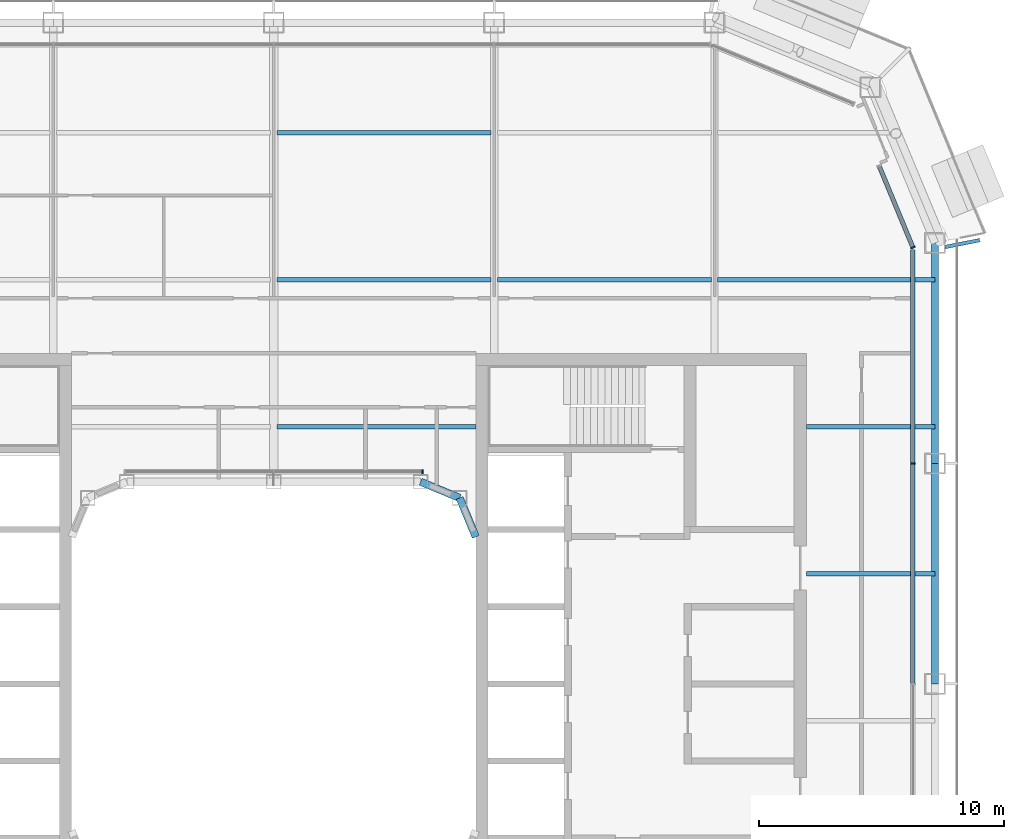
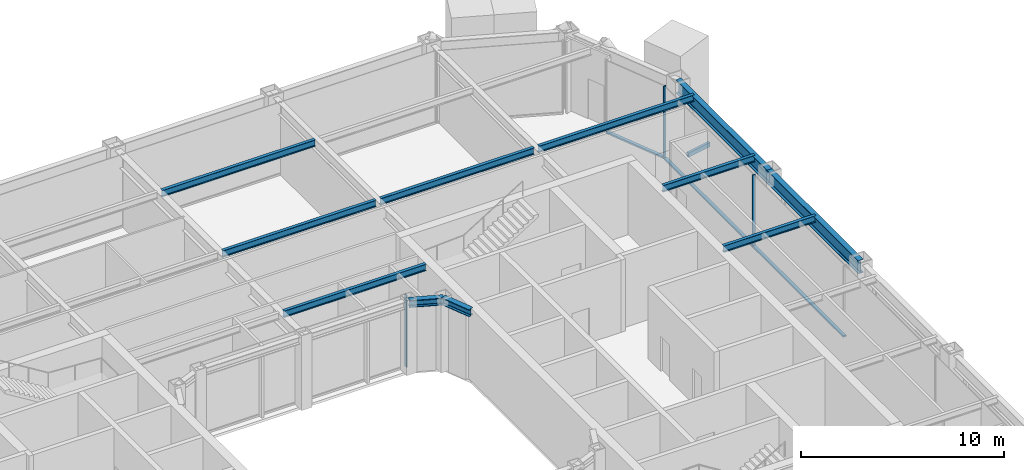
# One storey, part 9 of 23: 12 beams, 6 members, 3 elements without a shape of their own.
"""IFC4 building model written with IfcOpenShell, lengths in metres."""

import ifcopenshell
import ifcopenshell.guid

model = None  # the IFC model being written
_history = None  # IfcOwnerHistory: only IFC2X3 demands one
_inside = {}  # id of a spatial element -> (the spatial element, [elements in it])
_under = {}  # id of a project, library or spatial element -> (it, [spatial elements below it])
_declared = {}  # id of a project -> (the project, [libraries it declares])
_typed = {}  # id of a type object -> (the type object, [elements of that type])
_made_of = {}  # id of a material, layer set ... -> (it, [elements and type objects made of it])


def new_model(schema):
    """Start an empty IFC model of exactly this schema.

    Asked for "IFC4X3", IfcOpenShell would pick the latest addendum, in which some entities
    have other attributes; the version numbers below select the first issue.
    IFC2X3 requires an IfcOwnerHistory on every rooted entity: one is made here for all.
    """
    global model, _history
    if schema == "IFC4X3":
        model = ifcopenshell.file(schema_version=(4, 3, 0, 0))
    else:
        model = ifcopenshell.file(schema=schema)
    _inside.clear()
    _under.clear()
    _declared.clear()
    _typed.clear()
    _made_of.clear()
    _history = None
    if model.schema == "IFC2X3":
        org = make("IfcOrganization", Name="unknown")
        user = make(
            "IfcPersonAndOrganization",
            ThePerson=make("IfcPerson", FamilyName="unknown"),
            TheOrganization=org,
        )
        app = make(
            "IfcApplication",
            ApplicationDeveloper=org,
            Version="unknown",
            ApplicationFullName="unknown",
            ApplicationIdentifier="unknown",
        )
        _history = make(
            "IfcOwnerHistory",
            OwningUser=user,
            OwningApplication=app,
            ChangeAction="ADDED",
            CreationDate=0,
        )
    return model


def make(cls, **values):
    """One entity of the class cls with the attributes given. An attribute that is None is left unset."""
    return model.create_entity(
        cls, **{name: value for name, value in values.items() if value is not None}
    )


def rooted(cls, **values):
    """An entity with a GlobalId (a new one), such as an element, a storey or a relation."""
    return make(cls, GlobalId=ifcopenshell.guid.new(), OwnerHistory=_history, **values)


def si_unit(unit_type, name, prefix=None):
    """IfcSIUnit, for example si_unit("LENGTHUNIT", "METRE", prefix="MILLI")."""
    return make("IfcSIUnit", UnitType=unit_type, Prefix=prefix, Name=name)


def assignment(units):
    """IfcUnitAssignment: the units of a project."""
    return None if units is None else make("IfcUnitAssignment", Units=units)


def point(xyz):
    """IfcCartesianPoint."""
    return None if xyz is None else make("IfcCartesianPoint", Coordinates=xyz)


def direction(xyz):
    """IfcDirection."""
    return None if xyz is None else make("IfcDirection", DirectionRatios=xyz)


def frame(location, z_axis=None, x_axis=None):
    """IfcAxis2Placement3D, a coordinate frame: its origin and axes. An axis left out is left unset."""
    return make(
        "IfcAxis2Placement3D",
        Location=point(location),
        Axis=direction(z_axis),
        RefDirection=direction(x_axis),
    )


def frame_2d(location, x_axis=None):
    """IfcAxis2Placement2D, a coordinate frame in the plane: its origin and x axis."""
    return make(
        "IfcAxis2Placement2D", Location=point(location), RefDirection=direction(x_axis)
    )


def origin():
    """The frame at (0, 0, 0) with its axes left unset."""
    return frame((0.0, 0.0, 0.0))


def origin_2d():
    """The frame at (0, 0) in the plane with its x axis left unset."""
    return frame_2d((0.0, 0.0))


def place(relative_to, where):
    """IfcLocalPlacement: puts the frame where relative to a parent placement (None: the world)."""
    return make(
        "IfcLocalPlacement", PlacementRelTo=relative_to, RelativePlacement=where
    )


def context(
    kind, dimensions, precision=None, world=None, true_north=None, identifier=None
):
    """IfcGeometricRepresentationContext, for example the 3D "Model" context."""
    return make(
        "IfcGeometricRepresentationContext",
        ContextIdentifier=identifier,
        ContextType=kind,
        CoordinateSpaceDimension=dimensions,
        Precision=precision,
        WorldCoordinateSystem=world,
        TrueNorth=true_north,
    )


def subcontext(parent, identifier, kind, view, scale=None):
    """IfcGeometricRepresentationSubContext, for example "Body" below "Model"."""
    return make(
        "IfcGeometricRepresentationSubContext",
        ContextIdentifier=identifier,
        ContextType=kind,
        ParentContext=parent,
        TargetScale=scale,
        TargetView=view,
    )


def project(units=None, contexts=None):
    """IfcProject with its units and contexts."""
    return rooted(
        "IfcProject",
        Name="project",
        RepresentationContexts=contexts,
        UnitsInContext=assignment(units),
    )


def spatial(cls, under=None, at=None, **own):
    """A site, building, storey or space (cls), placed at a placement, below another one or the project."""
    s = rooted(cls, ObjectPlacement=at, **own)
    if under is not None:
        _under.setdefault(under.id(), (under, []))[1].append(s)
    return s


def profile(cls, at=None, kind="AREA", **sizes):
    """A parametric profile (cls). Its sizes go by their IFC names, for example OverallWidth=200.0."""
    return make(cls, ProfileType=kind, Position=at, **sizes)


def rectangle(**sizes):
    """IfcRectangleProfileDef."""
    return profile("IfcRectangleProfileDef", **sizes)


def hollow_rectangle(**sizes):
    """IfcRectangleHollowProfileDef."""
    return profile("IfcRectangleHollowProfileDef", **sizes)


def i_section(**sizes):
    """IfcIShapeProfileDef."""
    return profile("IfcIShapeProfileDef", **sizes)


def extrude(swept, where, along, depth):
    """IfcExtrudedAreaSolid: the profile swept, set in the frame where, extruded along a direction by depth."""
    return make(
        "IfcExtrudedAreaSolid",
        SweptArea=swept,
        Position=where,
        ExtrudedDirection=direction(along),
        Depth=depth,
    )


def shape(context_of_items, identifier, shape_type, items):
    """IfcShapeRepresentation: the items that make up one representation, for example the "Body"."""
    return make(
        "IfcShapeRepresentation",
        ContextOfItems=context_of_items,
        RepresentationIdentifier=identifier,
        RepresentationType=shape_type,
        Items=items,
    )


def material(Name=None, Category=None):
    """IfcMaterial."""
    return make("IfcMaterial", Name=Name, Category=Category)


def layer(
    of_material, thickness, ventilated=None, Name=None, Category=None, Priority=None
):
    """IfcMaterialLayer: one layer of a wall or slab, of a material (None: an air gap)."""
    return make(
        "IfcMaterialLayer",
        Material=of_material,
        LayerThickness=thickness,
        IsVentilated=ventilated,
        Name=Name,
        Category=Category,
        Priority=Priority,
    )


def layer_set(layers, Name=None):
    """IfcMaterialLayerSet."""
    return make("IfcMaterialLayerSet", MaterialLayers=layers, LayerSetName=Name)


def material_profile(
    of_material, cross_section, Name=None, Category=None, Priority=None
):
    """IfcMaterialProfile: a cross section and its material."""
    return make(
        "IfcMaterialProfile",
        Name=Name,
        Material=of_material,
        Profile=cross_section,
        Priority=Priority,
        Category=Category,
    )


def profile_set(profiles, Name=None, composite=None):
    """IfcMaterialProfileSet."""
    return make(
        "IfcMaterialProfileSet",
        Name=Name,
        MaterialProfiles=profiles,
        CompositeProfile=composite,
    )


def made_of(thing, what):
    """Note that an element or type object is made of a material, layer set ...; save() writes the relation."""
    if what is not None:
        _made_of.setdefault(what.id(), (what, []))[1].append(thing)
    return thing


def type_object(cls, material=None, **own):
    """A type object (cls), such as IfcWallType, which elements share."""
    return made_of(rooted(cls, **own), material)


def element(
    cls,
    number,
    at=None,
    inside=None,
    cuts=None,
    type_object=None,
    material=None,
    context=None,
    identifier="Body",
    shape_type=None,
    held_by="IfcProductDefinitionShape",
    body=None,
    shapes=None,
    **own,
):
    """One element of the class cls, such as IfcWall. Its Tag is "e" and its number.

    at: its placement. inside: the storey or other place that contains it. cuts: it is an
    opening in that element (IfcRelVoidsElement). A single representation is given by context,
    identifier, shape_type and body (its items); several are given by shapes. held_by: the class
    of the entity that holds the representations. save() writes the other relations.
    """
    e = rooted(cls, Tag="e%d" % number, ObjectPlacement=at, **own)
    if body is not None:
        shapes = [shape(context, identifier, shape_type, body)]
    if shapes is not None:
        e.Representation = make(held_by, Representations=shapes)
    if inside is not None:
        _inside.setdefault(inside.id(), (inside, []))[1].append(e)
    if cuts is not None:
        rooted(
            "IfcRelVoidsElement", RelatingBuildingElement=cuts, RelatedOpeningElement=e
        )
    if type_object is not None:
        _typed.setdefault(type_object.id(), (type_object, []))[1].append(e)
    return made_of(e, material)


def aggregate(whole, parts):
    """IfcRelAggregates: a whole, such as a stair, and the parts it consists of."""
    return rooted("IfcRelAggregates", RelatingObject=whole, RelatedObjects=parts)


def save(model, path):
    """Write the relations noted so far, then the file.

    IfcRelAggregates (storeys below a building ...), IfcRelContainedInSpatialStructure (elements
    in a storey), IfcRelDefinesByType, IfcRelAssociatesMaterial and IfcRelDeclares: one each for
    every whole, place, type object, material and project.
    """
    for whole, parts in _under.values():
        aggregate(whole, parts)
    for where, things in _inside.values():
        rooted(
            "IfcRelContainedInSpatialStructure",
            RelatedElements=things,
            RelatingStructure=where,
        )
    for kind, things in _typed.values():
        rooted("IfcRelDefinesByType", RelatedObjects=things, RelatingType=kind)
    for what, things in _made_of.values():
        rooted("IfcRelAssociatesMaterial", RelatedObjects=things, RelatingMaterial=what)
    for by, libraries in _declared.values():
        rooted("IfcRelDeclares", RelatingContext=by, RelatedDefinitions=libraries)
    model.write(path)


model = new_model("IFC4")

# Units and contexts
model_context = context("Model", 3, precision=1e-05, world=origin(), true_north=direction((0.0, 1.0)))
body_context = subcontext(model_context, "Body", "Model", "MODEL_VIEW")
ifc_project = project(units=[si_unit("LENGTHUNIT", "METRE"), si_unit("AREAUNIT", "SQUARE_METRE"), si_unit("VOLUMEUNIT", "CUBIC_METRE"), si_unit("PLANEANGLEUNIT", "RADIAN"), si_unit("MASSUNIT", "GRAM", prefix="KILO")], contexts=[model_context])

# Site, building, storey
site_placement = place(None, origin())
site = spatial("IfcSite", under=ifc_project, at=site_placement, CompositionType="ELEMENT")
building_placement = place(site_placement, origin())
building = spatial("IfcBuilding", under=site, at=building_placement, Name="Siwar Civic Tower", CompositionType="ELEMENT")
storey_placement = place(building_placement, frame((0.0, 0.0, 224.199951171875)))
storey = spatial("IfcBuildingStorey", under=building, at=storey_placement, Name="L48", CompositionType="ELEMENT", Elevation=224.199951171875)

# Beam
ifc_material_1 = material(Name="Steel S355", Category="steel")
ifc_material_profile_1 = material_profile(ifc_material_1, hollow_rectangle(XDim=0.14990234375, YDim=0.25, WallThickness=0.010009765625, at=origin_2d()), Name="RHS250x150x10")
ifc_profile_set_1 = profile_set([ifc_material_profile_1], Name="Steel S355")
beam_type_1 = type_object("IfcBeamType", Name="ENV-BALCONY ARM", PredefinedType="BEAM", material=ifc_profile_set_1)
beam_1_placement = place(storey_placement, frame((27.425048828125, 17.83984375, -0.27490234375), z_axis=(0.980778884878, 0.195122471741, 0.0), x_axis=(-0.195122471741, 0.980778884878, 0.0)))
element("IfcBeam", 1, at=beam_1_placement, inside=storey, type_object=beam_type_1, Name="Balcony cantilever beam NE 1", PredefinedType="BEAM", context=body_context, shape_type="SweptSolid", body=[
    extrude(hollow_rectangle(XDim=0.14990234375, YDim=0.25, WallThickness=0.010009765625, at=origin_2d()), origin(), (0.0, 0.0, 1.0), 1.417724609375),
])

# Curtain wall, member
ifc_material_2 = material(Name="Aluminium and glass", Category="aluminium")
ifc_layer_1 = layer(ifc_material_2, 0.179931640625)
ifc_layer_set_1 = layer_set([ifc_layer_1], Name="Aluminium and glass")
curtain_wall_type_1 = type_object("IfcCurtainWallType", Name="ENV-CW-C", PredefinedType="NOTDEFINED", material=ifc_layer_set_1)
curtain_wall_1_placement = place(storey_placement, origin())
curtain_wall_1 = element("IfcCurtainWall", 2, at=curtain_wall_1_placement, inside=storey, type_object=curtain_wall_type_1, Name="Curtain wall C E", PredefinedType="NOTDEFINED")
ifc_material_3 = material(Name="Aluminium 6063-T6", Category="aluminium")
ifc_material_profile_2 = material_profile(ifc_material_3, rectangle(XDim=0.179931640625, YDim=0.06005859375, at=origin_2d()), Name="AL 180x60")
ifc_profile_set_2 = profile_set([ifc_material_profile_2], Name="Aluminium 6063-T6")
member_type_1 = type_object("IfcMemberType", Name="ENV-MULLION-C", PredefinedType="MULLION", material=ifc_profile_set_2)
member_1_placement = place(storey_placement, frame((26.10009765625, 9.0, 0.0), z_axis=(0.0, 0.0, 1.0), x_axis=(-1.0, 0.0, 0.0)))
member_1 = element("IfcMember", 3, at=member_1_placement, type_object=member_type_1, Name="Mullion C E 4", PredefinedType="MULLION", context=body_context, shape_type="SweptSolid", body=[
    extrude(rectangle(XDim=0.179931640625, YDim=0.06005859375, at=origin_2d()), origin(), (0.0, 0.0, 1.0), 4.35009765625),
])

ifc_material_4 = material(Name="Aluminium clad insulated panel", Category="aluminium")
ifc_layer_2 = layer(ifc_material_4, 0.179931640625)
ifc_layer_set_2 = layer_set([ifc_layer_2], Name="Aluminium clad insulated panel")
curtain_wall_type_2 = type_object("IfcCurtainWallType", Name="ENV-CW-CX", PredefinedType="NOTDEFINED", material=ifc_layer_set_2)
curtain_wall_2_placement = place(storey_placement, origin())
curtain_wall_2 = element("IfcCurtainWall", 4, at=curtain_wall_2_placement, inside=storey, type_object=curtain_wall_type_2, Name="Curtain wall C NE1", PredefinedType="NOTDEFINED")
member_2_placement = place(storey_placement, frame((26.10009765625, 17.821044921875, 0.0), z_axis=(0.0, 0.0, 1.0), x_axis=(-0.923879532511, -0.382683432365, 0.0)))
member_2 = element("IfcMember", 5, at=member_2_placement, type_object=member_type_1, Name="Mullion C NE1 1", PredefinedType="MULLION", context=body_context, shape_type="SweptSolid", body=[
    extrude(rectangle(XDim=0.179931640625, YDim=0.06005859375, at=origin_2d()), origin(), (0.0, 0.0, 1.0), 4.35009765625),
])

ifc_material_5 = material(Name="Aluminium and glass", Category="aluminium")
ifc_layer_3 = layer(ifc_material_5, 0.179931640625)
ifc_layer_set_3 = layer_set([ifc_layer_3], Name="Aluminium and glass")
curtain_wall_type_3 = type_object("IfcCurtainWallType", Name="ENV-CW-W", PredefinedType="NOTDEFINED", material=ifc_layer_set_3)
curtain_wall_3_placement = place(storey_placement, origin())
curtain_wall_3 = element("IfcCurtainWall", 6, at=curtain_wall_3_placement, inside=storey, type_object=curtain_wall_type_3, Name="Curtain wall W WN", PredefinedType="NOTDEFINED")
ifc_material_6 = material(Name="Aluminium 6063-T6", Category="aluminium")
ifc_material_profile_3 = material_profile(ifc_material_6, rectangle(XDim=0.179931640625, YDim=0.06005859375, at=origin_2d()), Name="AL 180x60")
ifc_profile_set_3 = profile_set([ifc_material_profile_3], Name="Aluminium 6063-T6")
member_type_2 = type_object("IfcMemberType", Name="ENV-MULLION-W", PredefinedType="MULLION", material=ifc_profile_set_3)
member_3_placement = place(storey_placement, frame((6.08154296875, 8.659912109375, 0.0), z_axis=(0.0, 0.0, 1.0), x_axis=(0.0, -1.0, 0.0)))
member_3 = element("IfcMember", 7, at=member_3_placement, type_object=member_type_2, Name="Mullion W WN 1", PredefinedType="MULLION", context=body_context, shape_type="SweptSolid", body=[
    extrude(rectangle(XDim=0.179931640625, YDim=0.06005859375, at=origin_2d()), origin(), (0.0, 0.0, 1.0), 4.35009765625),
])
aggregate(curtain_wall_3, [member_3])

# Member
ifc_material_7 = material(Name="Aluminium 6063-T6", Category="aluminium")
ifc_material_profile_4 = material_profile(ifc_material_7, rectangle(XDim=0.179931640625, YDim=0.10009765625, at=origin_2d()), Name="AL 180x100")
ifc_profile_set_4 = profile_set([ifc_material_profile_4], Name="Aluminium 6063-T6")
member_type_3 = type_object("IfcMemberType", Name="ENV-TRANSOM-C", PredefinedType="USERDEFINED", material=ifc_profile_set_4)
member_4_placement = place(storey_placement, frame((26.10009765625, 0.030029296875, 0.050048828125), z_axis=(0.0, 1.0, 0.0), x_axis=(-1.0, 0.0, 0.0)))
member_4 = element("IfcMember", 8, at=member_4_placement, type_object=member_type_3, Name="Transom C E 3", ObjectType="TRANSOM", PredefinedType="USERDEFINED", context=body_context, shape_type="SweptSolid", body=[
    extrude(rectangle(XDim=0.179931640625, YDim=0.10009765625, at=origin_2d()), origin(), (0.0, 0.0, 1.0), 8.93994140625),
])

member_5_placement = place(storey_placement, frame((26.10009765625, 9.030029296875, 0.050048828125), z_axis=(0.0, 1.0, 0.0), x_axis=(-1.0, 0.0, 0.0)))
member_5 = element("IfcMember", 9, at=member_5_placement, type_object=member_type_3, Name="Transom C E 4", ObjectType="TRANSOM", PredefinedType="USERDEFINED", context=body_context, shape_type="SweptSolid", body=[
    extrude(rectangle(XDim=0.179931640625, YDim=0.10009765625, at=origin_2d()), origin(), (0.0, 0.0, 1.0), 8.68603515625),
])

aggregate(curtain_wall_1, [member_1, member_4, member_5])

member_6_placement = place(storey_placement, frame((26.088623046875, 17.8486328125, 0.050048828125), z_axis=(-0.3827185099, 0.92386500214, 0.0), x_axis=(-0.92386500214, -0.3827185099, 0.0)))
member_6 = element("IfcMember", 10, at=member_6_placement, type_object=member_type_3, Name="Transom C NE1 1", ObjectType="TRANSOM", PredefinedType="USERDEFINED", context=body_context, shape_type="SweptSolid", body=[
    extrude(rectangle(XDim=0.179931640625, YDim=0.10009765625, at=origin_2d()), origin(), (0.0, 0.0, 1.0), 3.54736328125),
])

aggregate(curtain_wall_2, [member_2, member_6])

# Beams
ifc_material_8 = material(Name="Steel S355", Category="steel")
ifc_material_profile_5 = material_profile(ifc_material_8, i_section(OverallWidth=0.179931640625, OverallDepth=0.39990234375, WebThickness=0.008544921875, FlangeThickness=0.013427734375, FilletRadius=0.02099609375, at=origin_2d()), Name="IPE400")
ifc_profile_set_5 = profile_set([ifc_material_profile_5], Name="Steel S355")
beam_type_2 = type_object("IfcBeamType", Name="STR-FB-IPE400", PredefinedType="JOIST", material=ifc_profile_set_5)
beam_2_placement = place(storey_placement, frame((21.75, 4.5, 4.150146484375), z_axis=(1.0, 0.0, 0.0), x_axis=(0.0, 1.0, 0.0)))
element("IfcBeam", 11, at=beam_2_placement, inside=storey, type_object=beam_type_2, Name="L48/bm/F026", PredefinedType="JOIST", context=body_context, shape_type="SweptSolid", body=[
    extrude(i_section(OverallWidth=0.179931640625, OverallDepth=0.39990234375, WebThickness=0.008544921875, FlangeThickness=0.013427734375, FilletRadius=0.02099609375, at=origin_2d()), origin(), (0.0, 0.0, 1.0), 5.25),
])
beam_3_placement = place(storey_placement, frame((0.1298828125, 10.5, 4.150146484375), z_axis=(1.0, 0.0, 0.0), x_axis=(0.0, 1.0, 0.0)))
element("IfcBeam", 12, at=beam_3_placement, inside=storey, type_object=beam_type_2, Name="L48/bm/F029", PredefinedType="JOIST", context=body_context, shape_type="SweptSolid", body=[
    extrude(i_section(OverallWidth=0.179931640625, OverallDepth=0.39990234375, WebThickness=0.008544921875, FlangeThickness=0.013427734375, FilletRadius=0.02099609375, at=origin_2d()), origin(), (0.0, 0.0, 1.0), 8.1201171875),
])
beam_4_placement = place(storey_placement, frame((21.75, 10.5, 4.150146484375), z_axis=(1.0, 0.0, 0.0), x_axis=(0.0, 1.0, 0.0)))
element("IfcBeam", 13, at=beam_4_placement, inside=storey, type_object=beam_type_2, Name="L48/bm/F030", PredefinedType="JOIST", context=body_context, shape_type="SweptSolid", body=[
    extrude(i_section(OverallWidth=0.179931640625, OverallDepth=0.39990234375, WebThickness=0.008544921875, FlangeThickness=0.013427734375, FilletRadius=0.02099609375, at=origin_2d()), origin(), (0.0, 0.0, 1.0), 5.25),
])
for number, where, z_axis, x_axis, name in (
    (14, (0.1298828125, 16.5, 4.150146484375), (1.0, 0.0, 0.0), (0.0, 1.0, 0.0), "L48/bm/F034"),
    (15, (9.1298828125, 16.5, 4.150146484375), (1.0, 0.0, 0.0), (0.0, 1.0, 0.0), "L48/bm/F035"),
):
    element("IfcBeam", number, at=place(storey_placement, frame(where, z_axis=z_axis, x_axis=x_axis)), inside=storey, type_object=beam_type_2, Name=name, PredefinedType="JOIST", context=body_context, shape_type="SweptSolid", body=[
        extrude(i_section(OverallWidth=0.179931640625, OverallDepth=0.39990234375, WebThickness=0.008544921875, FlangeThickness=0.013427734375, FilletRadius=0.02099609375, at=origin_2d()), origin(), (0.0, 0.0, 1.0), 8.740234375),
    ])
beam_5_placement = place(storey_placement, frame((18.1298828125, 16.5, 4.150146484375), z_axis=(1.0, 0.0, 0.0), x_axis=(0.0, 1.0, 0.0)))
element("IfcBeam", 16, at=beam_5_placement, inside=storey, type_object=beam_type_2, Name="L48/bm/F036", PredefinedType="JOIST", context=body_context, shape_type="SweptSolid", body=[
    extrude(i_section(OverallWidth=0.179931640625, OverallDepth=0.39990234375, WebThickness=0.008544921875, FlangeThickness=0.013427734375, FilletRadius=0.02099609375, at=origin_2d()), origin(), (0.0, 0.0, 1.0), 8.8701171875),
])
beam_6_placement = place(storey_placement, frame((0.1298828125, 22.5, 4.150146484375), z_axis=(1.0, 0.0, 0.0), x_axis=(0.0, 1.0, 0.0)))
element("IfcBeam", 17, at=beam_6_placement, inside=storey, type_object=beam_type_2, Name="L48/bm/F040", PredefinedType="JOIST", context=body_context, shape_type="SweptSolid", body=[
    extrude(i_section(OverallWidth=0.179931640625, OverallDepth=0.39990234375, WebThickness=0.008544921875, FlangeThickness=0.013427734375, FilletRadius=0.02099609375, at=origin_2d()), origin(), (0.0, 0.0, 1.0), 8.740234375),
])
ifc_material_9 = material(Name="Steel S355", Category="steel")
ifc_material_profile_6 = material_profile(ifc_material_9, i_section(OverallWidth=0.306884765625, OverallDepth=0.431884765625, WebThickness=0.02099609375, FlangeThickness=0.0400390625, FilletRadius=0.027099609375, at=origin_2d()), Name="HEM400")
ifc_profile_set_6 = profile_set([ifc_material_profile_6], Name="Steel S355")
beam_type_3 = type_object("IfcBeamType", Name="STR-RB-HEM400", PredefinedType="BEAM", material=ifc_profile_set_6)
for number, where, z_axis, x_axis, name in (
    (18, (6.0, 8.25, 4.134033203125), (0.923901072997, -0.382631424892, 0.0), (0.382631424892, 0.923901072997, 0.0), "L48/bm/RN3"),
    (19, (7.591064453125, 7.591064453125, 4.134033203125), (0.382631424892, -0.923901072997, 0.0), (0.923901072997, 0.382631424892, 0.0), "L48/bm/RNEE"),
):
    element("IfcBeam", number, at=place(storey_placement, frame(where, z_axis=z_axis, x_axis=x_axis)), inside=storey, type_object=beam_type_3, Name=name, PredefinedType="BEAM", context=body_context, shape_type="SweptSolid", body=[
        extrude(i_section(OverallWidth=0.306884765625, OverallDepth=0.431884765625, WebThickness=0.02099609375, FlangeThickness=0.0400390625, FilletRadius=0.027099609375, at=origin_2d()), origin(), (0.0, 0.0, 1.0), 1.72216796875),
    ])
ifc_material_10 = material(Name="Steel S355", Category="steel")
ifc_material_profile_7 = material_profile(ifc_material_10, i_section(OverallWidth=0.300048828125, OverallDepth=0.800048828125, WebThickness=0.017578125, FlangeThickness=0.032958984375, FilletRadius=0.030029296875, at=origin_2d()), Name="HEB800")
ifc_profile_set_7 = profile_set([ifc_material_profile_7], Name="Steel S355")
beam_type_4 = type_object("IfcBeamType", Name="STR-SB-HEB800", PredefinedType="BEAM", material=ifc_profile_set_7)
for number, where, z_axis, x_axis, name in (
    (20, (27.0, 0.0, 3.949951171875), (0.0, 1.0, 0.0), (-1.0, 0.0, 0.0), "L48/bm/SE-2"),
    (21, (27.0, 9.0, 3.949951171875), (0.0, 1.0, 0.0), (-1.0, 0.0, 0.0), "L48/bm/SE-3"),
):
    element("IfcBeam", number, at=place(storey_placement, frame(where, z_axis=z_axis, x_axis=x_axis)), inside=storey, type_object=beam_type_4, Name=name, PredefinedType="BEAM", context=body_context, shape_type="SweptSolid", body=[
        extrude(i_section(OverallWidth=0.300048828125, OverallDepth=0.800048828125, WebThickness=0.017578125, FlangeThickness=0.032958984375, FilletRadius=0.030029296875, at=origin_2d()), origin(), (0.0, 0.0, 1.0), 9.0),
    ])

save(model, "model.ifc")
